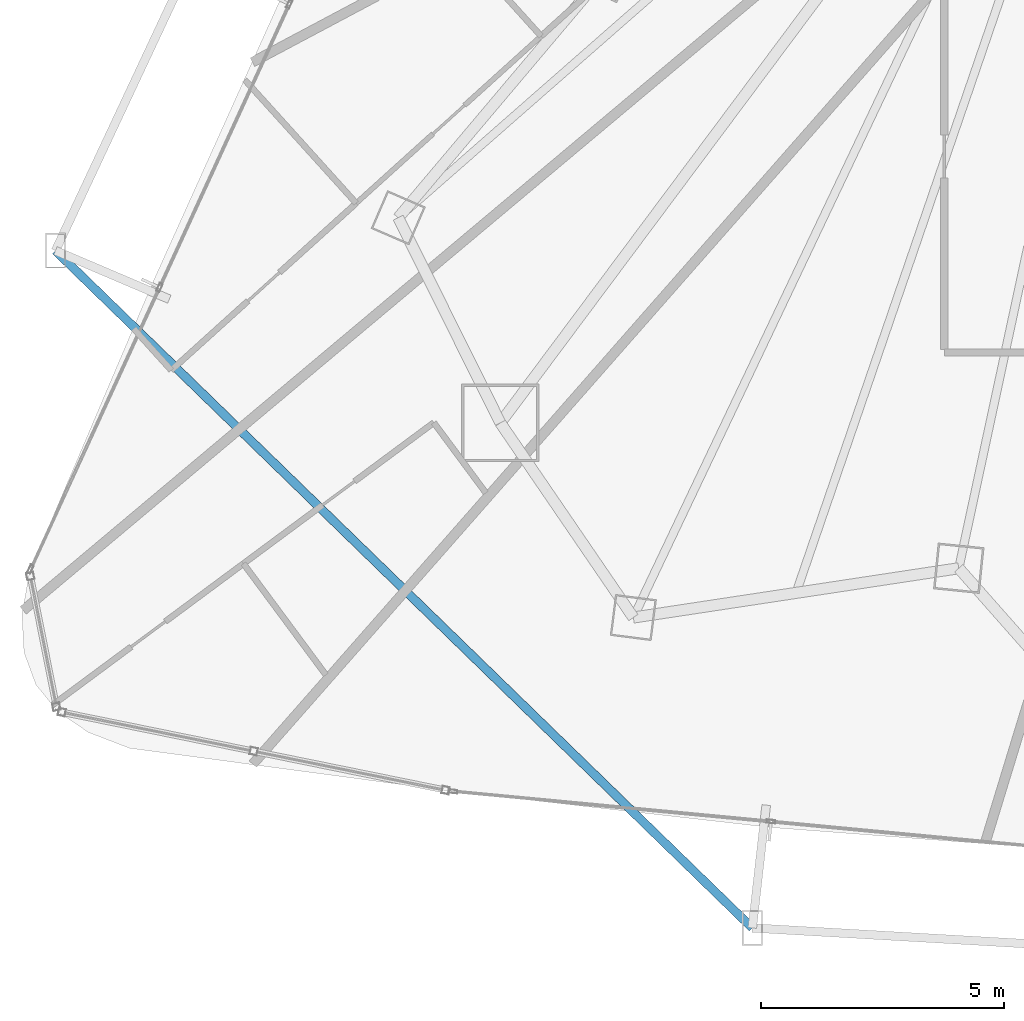
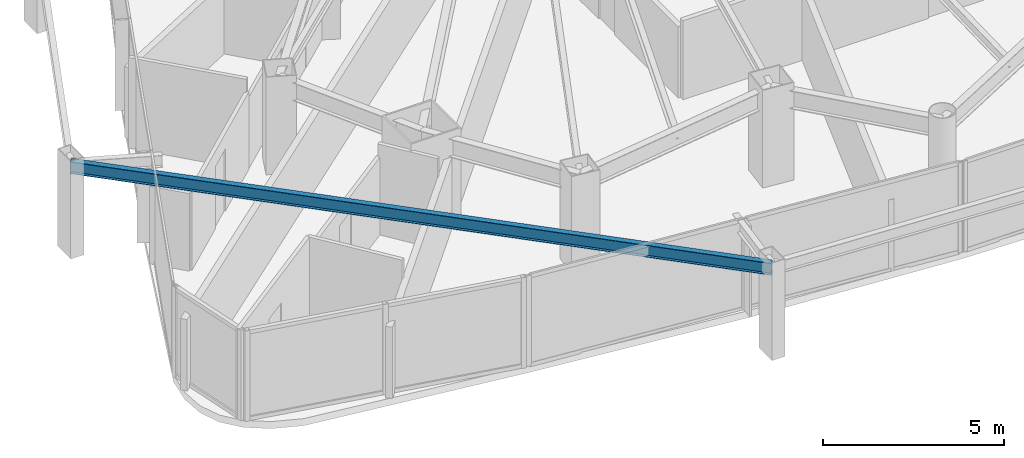
# One storey, part 3 of 38: 1 beam.
"""IFC4 building model written with IfcOpenShell, lengths in metres."""

from ifc_helpers import new_model, si_unit, direction, frame, origin, origin_2d, place, context, subcontext, project, spatial, i_section, extrude, material, material_profile, profile_set, type_object, element, save


model = new_model("IFC4")

# Units and contexts
model_context = context("Model", 3, precision=1e-05, world=origin(), true_north=direction((0.0, 1.0)))
body_context = subcontext(model_context, "Body", "Model", "MODEL_VIEW")
ifc_project = project(units=[si_unit("LENGTHUNIT", "METRE"), si_unit("AREAUNIT", "SQUARE_METRE"), si_unit("VOLUMEUNIT", "CUBIC_METRE"), si_unit("PLANEANGLEUNIT", "RADIAN"), si_unit("MASSUNIT", "GRAM", prefix="KILO")], contexts=[model_context])

# Site, building, storey
site_placement = place(None, origin())
site = spatial("IfcSite", under=ifc_project, at=site_placement, CompositionType="ELEMENT")
building_placement = place(site_placement, origin())
building = spatial("IfcBuilding", under=site, at=building_placement, Name="Orvanel Arch Residences", CompositionType="ELEMENT")
storey_placement = place(building_placement, frame((0.0, 0.0, 46.699951171875)))
storey = spatial("IfcBuildingStorey", under=building, at=storey_placement, Name="L12", CompositionType="ELEMENT", Elevation=46.699951171875)

# Beam
ifc_material = material(Name="Structural steel AS/NZS 3679.1 Grade 300 (300 MPa)", Category="steel")
ifc_material_profile = material_profile(ifc_material, i_section(OverallWidth=0.177978515625, OverallDepth=0.406005859375, WebThickness=0.0078125, FlangeThickness=0.0126953125, at=origin_2d()), Name="410UB59.7")
ifc_profile_set = profile_set([ifc_material_profile], Name="Structural steel AS/NZS 3679.1 Grade 300 (300 MPa)")
beam_type = type_object("IfcBeamType", Name="OB-410UB-EXT", PredefinedType="SPANDREL", material=ifc_profile_set)
beam_placement = place(storey_placement, frame((5.029052734375, 13.90087890625, 2.85693359375), z_axis=(0.71709660899, -0.696973782416, 0.0), x_axis=(0.696973782416, 0.71709660899, 0.0)))
element("IfcBeam", 1, at=beam_placement, inside=storey, type_object=beam_type, Name="L12 Outer Perimeter Floor Ring Beam 04", PredefinedType="SPANDREL", context=body_context, shape_type="SweptSolid", body=[
    extrude(i_section(OverallWidth=0.177978515625, OverallDepth=0.406005859375, WebThickness=0.0078125, FlangeThickness=0.0126953125, at=origin_2d()), origin(), (0.0, 0.0, 1.0), 20.03076171875),
])

save(model, "model.ifc")
